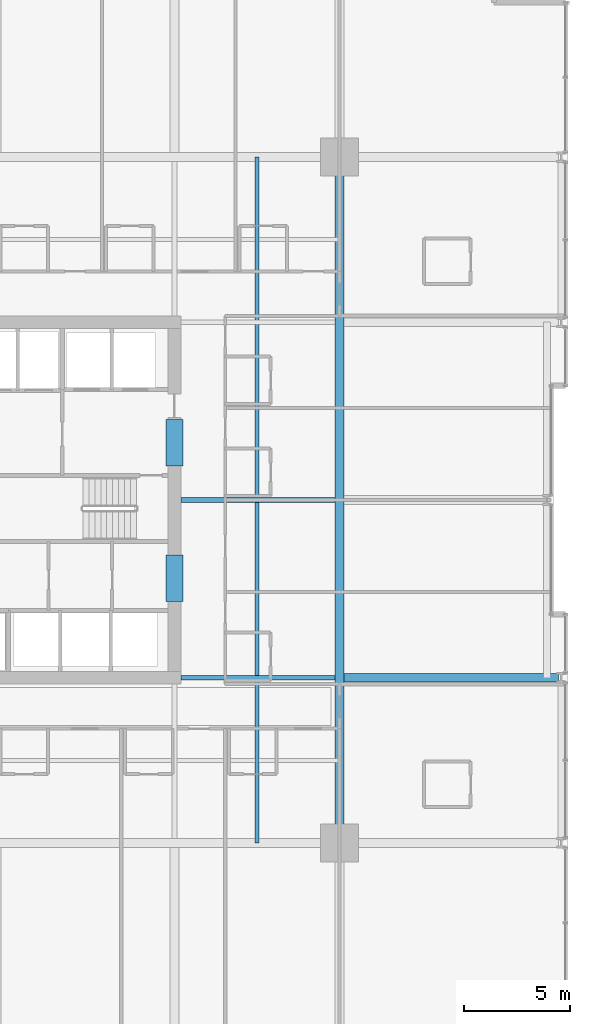
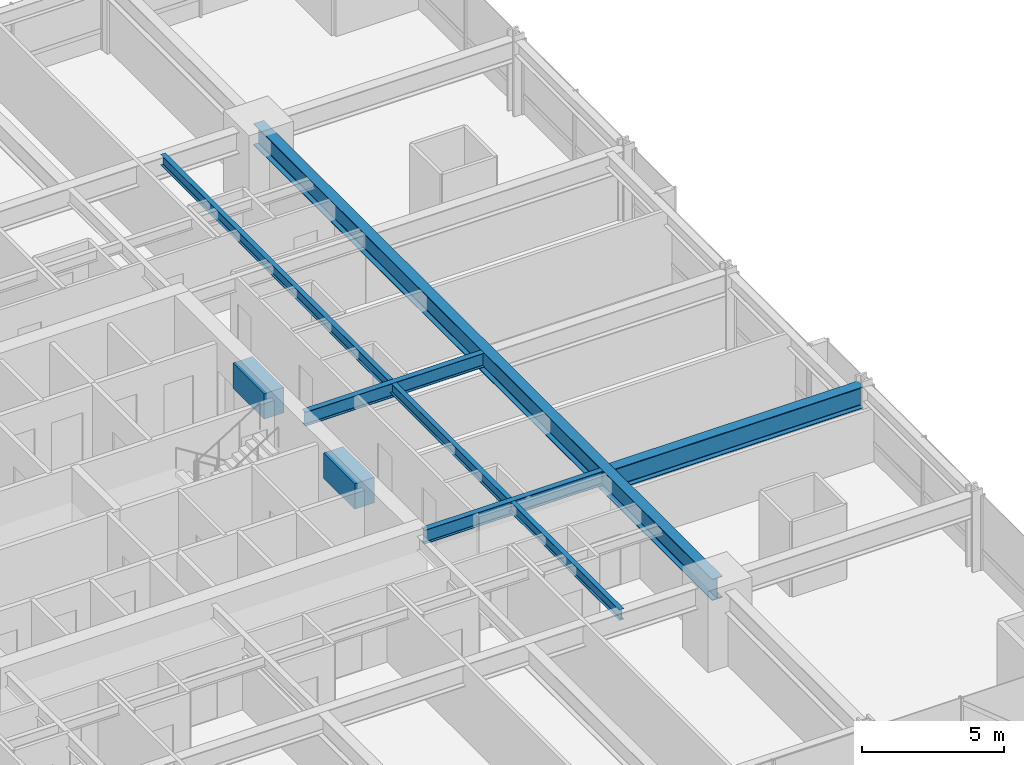
# One storey, part 15 of 39: 7 beams.
"""IFC4 building model written with IfcOpenShell, lengths in metres."""

from ifc_helpers import new_model, si_unit, direction, frame, origin, origin_2d, place, context, subcontext, project, spatial, rectangle, i_section, extrude, material, material_profile, profile_set, type_object, element, save


model = new_model("IFC4")

# Units and contexts
model_context = context("Model", 3, precision=1e-05, world=origin(), true_north=direction((0.0, 1.0)))
body_context = subcontext(model_context, "Body", "Model", "MODEL_VIEW")
ifc_project = project(units=[si_unit("LENGTHUNIT", "METRE"), si_unit("AREAUNIT", "SQUARE_METRE"), si_unit("VOLUMEUNIT", "CUBIC_METRE"), si_unit("PLANEANGLEUNIT", "RADIAN"), si_unit("MASSUNIT", "GRAM", prefix="KILO")], contexts=[model_context])

# Site, building, storey
site_placement = place(None, origin())
site = spatial("IfcSite", under=ifc_project, at=site_placement, CompositionType="ELEMENT")
building_placement = place(site_placement, origin())
building = spatial("IfcBuilding", under=site, at=building_placement, Name="Drelvath Grand Hotel", CompositionType="ELEMENT")
storey_placement = place(building_placement, frame((0.0, 0.0, 40.199951171875)))
storey = spatial("IfcBuildingStorey", under=building, at=storey_placement, Name="L08", CompositionType="ELEMENT", Elevation=40.199951171875)

# Beams
ifc_material_1 = material(Name="Steel ASTM A992 Gr 50", Category="steel")
ifc_material_profile_1 = material_profile(ifc_material_1, i_section(OverallWidth=0.19140625, OverallDepth=0.4599609375, WebThickness=0.010009765625, FlangeThickness=0.01611328125, FilletRadius=0.01611328125, at=origin_2d()), Name="W18X55")
ifc_profile_set_1 = profile_set([ifc_material_profile_1], Name="Steel ASTM A992 Gr 50")
beam_type_1 = type_object("IfcBeamType", Name="Composite Floor Joist W18X55", PredefinedType="JOIST", material=ifc_profile_set_1)
beam_1_placement = place(storey_placement, frame((12.300048828125, 10.800048828125, 3.010009765625), z_axis=(0.0, 1.0, 0.0), x_axis=(-1.0, 0.0, 0.0)))
element("IfcBeam", 1, at=beam_1_placement, inside=storey, type_object=beam_type_1, Name="L08 Wing Floor Joist J4", PredefinedType="JOIST", context=body_context, shape_type="SweptSolid", body=[
    extrude(i_section(OverallWidth=0.19140625, OverallDepth=0.4599609375, WebThickness=0.010009765625, FlangeThickness=0.01611328125, FilletRadius=0.01611328125, at=origin_2d()), origin(), (0.0, 0.0, 1.0), 32.39990234375),
])
ifc_material_2 = material(Name="Concrete f'c 70 MPa", Category="concrete")
ifc_material_profile_2 = material_profile(ifc_material_2, rectangle(XDim=0.800048828125, YDim=1.10009765625, at=origin_2d()), Name="CB800X1100")
ifc_profile_set_2 = profile_set([ifc_material_profile_2], Name="Concrete f'c 70 MPa")
beam_type_2 = type_object("IfcBeamType", Name="Core Coupling Lintel CB800X1100", PredefinedType="LINTEL", material=ifc_profile_set_2)
for number, where, z_axis, x_axis, name in (
    (2, (8.39990234375, 22.199951171875, 2.68994140625), (0.0, 1.0, 0.0), (-1.0, 0.0, 0.0), "L08 Core Coupling Lintel ES"),
    (3, (8.39990234375, 28.60009765625, 2.68994140625), (0.0, 1.0, 0.0), (-1.0, 0.0, 0.0), "L08 Core Coupling Lintel EN"),
):
    element("IfcBeam", number, at=place(storey_placement, frame(where, z_axis=z_axis, x_axis=x_axis)), inside=storey, type_object=beam_type_2, Name=name, PredefinedType="LINTEL", context=body_context, shape_type="SweptSolid", body=[
        extrude(rectangle(XDim=0.800048828125, YDim=1.10009765625, at=origin_2d()), origin(), (0.0, 0.0, 1.0), 2.199951171875),
    ])
ifc_material_profile_3 = material_profile(ifc_material_1, i_section(OverallWidth=0.228271484375, OverallDepth=0.607666015625, WebThickness=0.01123046875, FlangeThickness=0.017333984375, FilletRadius=0.02001953125, at=origin_2d()), Name="W24X76")
ifc_profile_set_3 = profile_set([ifc_material_profile_3], Name="Steel ASTM A992 Gr 50")
beam_type_3 = type_object("IfcBeamType", Name="Primary Floor Girder W24X76", PredefinedType="BEAM", material=ifc_profile_set_3)
for number, where, z_axis, x_axis, name in (
    (4, (8.699951171875, 18.60009765625, 2.936279296875), (1.0, 0.0, 0.0), (0.0, 1.0, 0.0), "L08 East Core Tie D"),
    (5, (8.699951171875, 27.0, 2.936279296875), (1.0, 0.0, 0.0), (0.0, 1.0, 0.0), "L08 East Core Tie E"),
):
    element("IfcBeam", number, at=place(storey_placement, frame(where, z_axis=z_axis, x_axis=x_axis)), inside=storey, type_object=beam_type_3, Name=name, PredefinedType="BEAM", context=body_context, shape_type="SweptSolid", body=[
        extrude(i_section(OverallWidth=0.228271484375, OverallDepth=0.607666015625, WebThickness=0.01123046875, FlangeThickness=0.017333984375, FilletRadius=0.02001953125, at=origin_2d()), origin(), (0.0, 0.0, 1.0), 7.290771484375),
    ])
ifc_material_profile_4 = material_profile(ifc_material_1, i_section(OverallWidth=0.418212890625, OverallDepth=0.926513671875, WebThickness=0.019287109375, FlangeThickness=0.031982421875, FilletRadius=0.028076171875, at=origin_2d()), Name="W36X231")
ifc_profile_set_4 = profile_set([ifc_material_profile_4], Name="Steel ASTM A992 Gr 50")
beam_type_4 = type_object("IfcBeamType", Name="Primary Floor Girder W36X231", PredefinedType="BEAM", material=ifc_profile_set_4)
beam_2_placement = place(storey_placement, frame((16.199951171875, 10.800048828125, 2.77685546875), z_axis=(0.0, 1.0, 0.0), x_axis=(-1.0, 0.0, 0.0)))
element("IfcBeam", 6, at=beam_2_placement, inside=storey, type_object=beam_type_4, Name="L08 Mega Ring Girder East", PredefinedType="BEAM", context=body_context, shape_type="SweptSolid", body=[
    extrude(i_section(OverallWidth=0.418212890625, OverallDepth=0.926513671875, WebThickness=0.019287109375, FlangeThickness=0.031982421875, FilletRadius=0.028076171875, at=origin_2d()), origin(), (0.0, 0.0, 1.0), 32.39990234375),
])
beam_3_placement = place(storey_placement, frame((16.4091796875, 18.60009765625, 2.77685546875), z_axis=(1.0, 0.0, 0.0), x_axis=(0.0, 1.0, 0.0)))
element("IfcBeam", 7, at=beam_3_placement, inside=storey, type_object=beam_type_4, Name="L08 East Wing Girder D", PredefinedType="BEAM", context=body_context, shape_type="SweptSolid", body=[
    extrude(i_section(OverallWidth=0.418212890625, OverallDepth=0.926513671875, WebThickness=0.019287109375, FlangeThickness=0.031982421875, FilletRadius=0.028076171875, at=origin_2d()), origin(), (0.0, 0.0, 1.0), 10.130859375),
])

save(model, "model.ifc")
